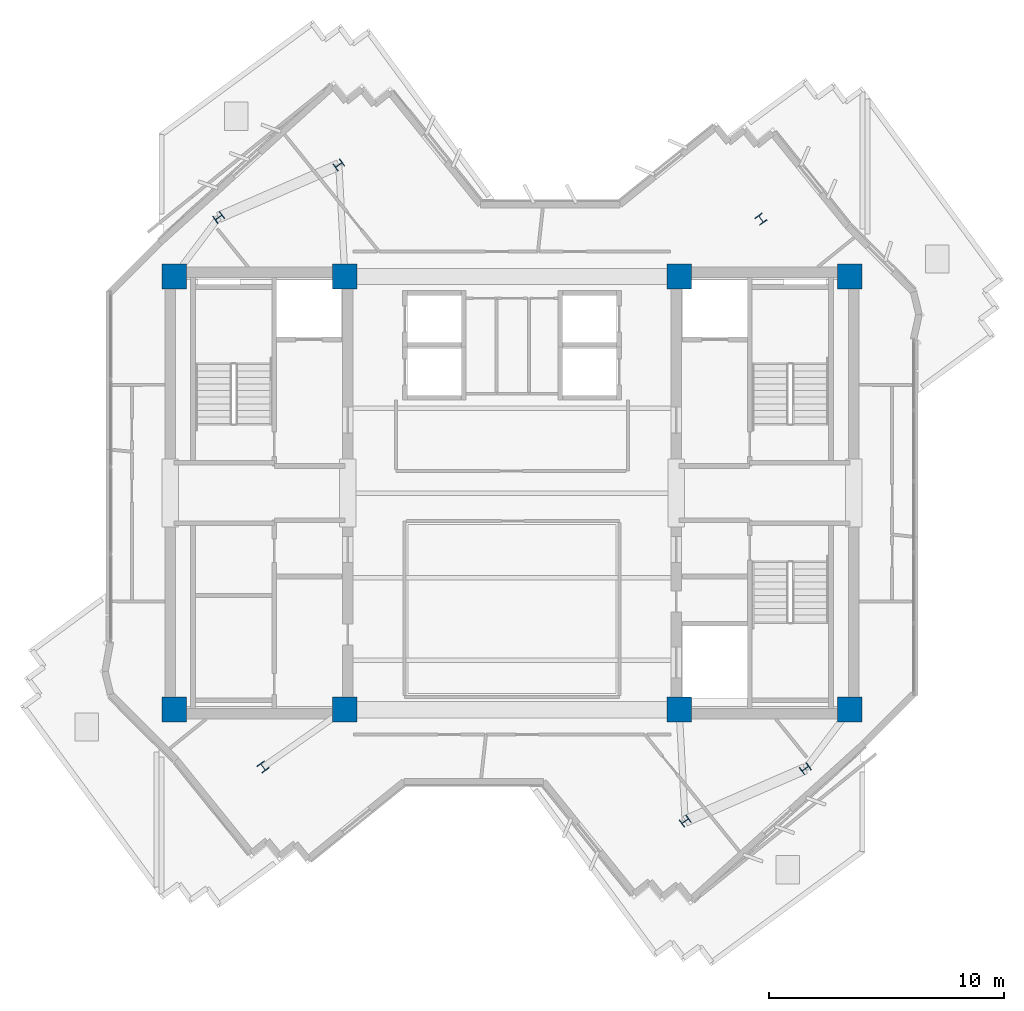
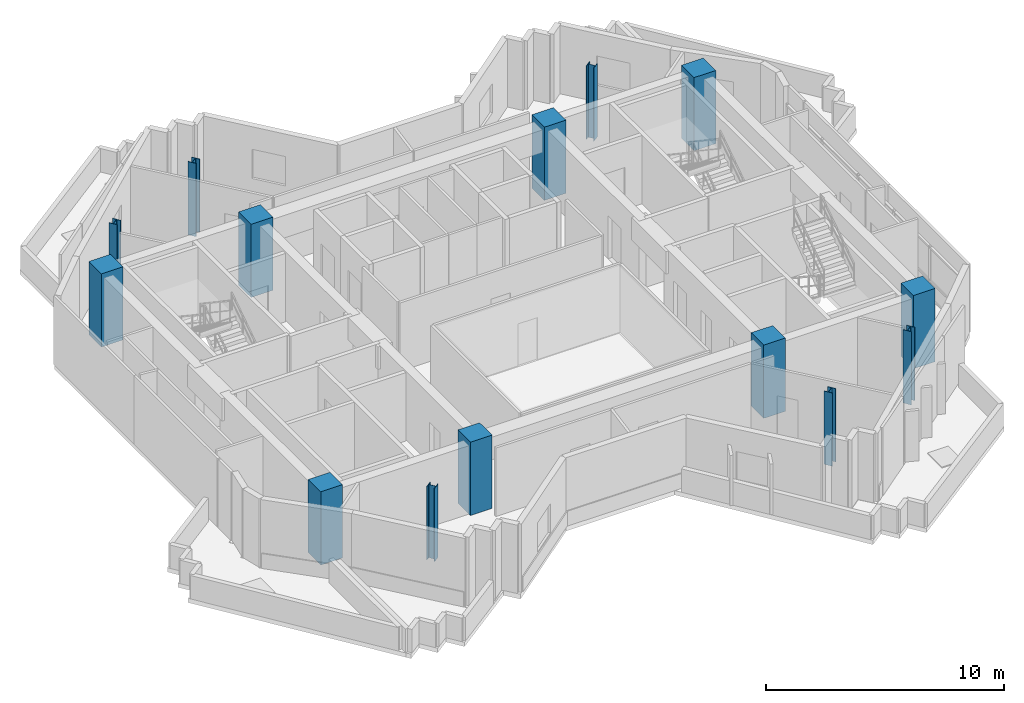
# One storey, part 1 of 12: 14 columns.
"""IFC4 building model written with IfcOpenShell, lengths in metres."""

from ifc_helpers import new_model, si_unit, direction, frame, origin, origin_2d, place, context, subcontext, project, spatial, rectangle, i_section, extrude, source, transform, mapped, material, material_profile, profile_set, type_object, element, save


model = new_model("IFC4")

# Units and contexts
model_context = context("Model", 3, precision=1e-05, world=origin(), true_north=direction((0.0, 1.0)))
body_context = subcontext(model_context, "Body", "Model", "MODEL_VIEW")
ifc_project = project(units=[si_unit("LENGTHUNIT", "METRE"), si_unit("AREAUNIT", "SQUARE_METRE"), si_unit("VOLUMEUNIT", "CUBIC_METRE"), si_unit("PLANEANGLEUNIT", "RADIAN"), si_unit("MASSUNIT", "GRAM", prefix="KILO")], contexts=[model_context])

# Site, building, storey
site_placement = place(None, origin())
site = spatial("IfcSite", under=ifc_project, at=site_placement, CompositionType="ELEMENT")
building_placement = place(site_placement, origin())
building = spatial("IfcBuilding", under=site, at=building_placement, Name="Zahravan Cultural Tower", CompositionType="ELEMENT")
storey_placement = place(building_placement, frame((0.0, 0.0, 280.35009765625)))
storey = spatial("IfcBuildingStorey", under=building, at=storey_placement, Name="L67", CompositionType="ELEMENT", Elevation=280.35009765625)

# Columns
ifc_material_1 = material(Name="Concrete C50/60", Category="concrete")
ifc_material_profile_1 = material_profile(ifc_material_1, rectangle(XDim=1.050048828125, YDim=1.050048828125, at=origin_2d()), Name="RC1050X1050")
ifc_profile_set_1 = profile_set([ifc_material_profile_1], Name="Concrete C50/60")
column_type_1 = type_object("IfcColumnType", Name="COL-RC1050", PredefinedType="COLUMN", material=ifc_profile_set_1)
shared_shape_1 = source(origin(), body_context, "Body", "SweptSolid", [
    extrude(rectangle(XDim=1.050048828125, YDim=1.050048828125, at=origin_2d()), origin(), (0.0, 0.0, 1.0), 3.75),
])
for number, where, z_axis, x_axis, name in (
    (1, (21.64990234375, 17.800048828125, 0.0), (0.0, 0.0, 1.0), (1.0, 0.0, 0.0), "L67 Column CC-W1"),
    (2, (28.89990234375, 17.800048828125, 0.0), (0.0, 0.0, 1.0), (1.0, 0.0, 0.0), "L67 Column CC-W2"),
    (3, (21.64990234375, 36.199951171875, 0.0), (0.0, 0.0, 1.0), (1.0, 0.0, 0.0), "L67 Column CC-W3"),
    (4, (28.89990234375, 36.199951171875, 0.0), (0.0, 0.0, 1.0), (1.0, 0.0, 0.0), "L67 Column CC-W4"),
    (5, (43.10009765625, 17.800048828125, 0.0), (0.0, 0.0, 1.0), (1.0, 0.0, 0.0), "L67 Column CC-E1"),
    (6, (50.35009765625, 17.800048828125, 0.0), (0.0, 0.0, 1.0), (1.0, 0.0, 0.0), "L67 Column CC-E2"),
    (7, (43.10009765625, 36.199951171875, 0.0), (0.0, 0.0, 1.0), (1.0, 0.0, 0.0), "L67 Column CC-E3"),
    (8, (50.35009765625, 36.199951171875, 0.0), (0.0, 0.0, 1.0), (1.0, 0.0, 0.0), "L67 Column CC-E4"),
):
    element("IfcColumn", number, at=place(storey_placement, frame(where, z_axis=z_axis, x_axis=x_axis)), inside=storey, type_object=column_type_1, Name=name, PredefinedType="COLUMN", context=body_context, shape_type="MappedRepresentation", body=[
        mapped(shared_shape_1, transform((0.0, 0.0, 0.0), x_axis=(1.0, 0.0, 0.0), y_axis=(0.0, 1.0, 0.0), z_axis=(0.0, 0.0, 1.0), scale=1.0)),
    ])
ifc_material_2 = material(Name="Steel ASTM A992 Grade 50", Category="steel")
ifc_material_profile_2 = material_profile(ifc_material_2, i_section(OverallWidth=0.3740234375, OverallDepth=0.3720703125, WebThickness=0.016357421875, FlangeThickness=0.026123046875, FilletRadius=0.01806640625, at=origin_2d()), Name="W14X132")
ifc_profile_set_2 = profile_set([ifc_material_profile_2], Name="Steel ASTM A992 Grade 50")
column_type_2 = type_object("IfcColumnType", Name="COL-W14X132", PredefinedType="COLUMN", material=ifc_profile_set_2)
shared_shape_2 = source(origin(), body_context, "Body", "SweptSolid", [
    extrude(i_section(OverallWidth=0.3740234375, OverallDepth=0.3720703125, WebThickness=0.016357421875, FlangeThickness=0.026123046875, FilletRadius=0.01806640625, at=origin_2d()), origin(), (0.0, 0.0, 1.0), 3.75),
])
for number, where, z_axis, x_axis, name in (
    (9, (46.577880859375, 38.640625, 0.0), (0.0, 0.0, 1.0), (0.809016994375, 0.587785252292, 0.0), "L67 Column Z3C-E2"),
    (10, (28.642578125, 40.937255859375, 0.0), (0.0, 0.0, 1.0), (-0.587785252292, 0.809016994375, 0.0), "L67 Column Z3C-N1"),
    (11, (23.536376953125, 38.710693359375, 0.0), (0.0, 0.0, 1.0), (-0.587785252292, 0.809016994375, 0.0), "L67 Column Z3C-N2"),
    (12, (25.422119140625, 15.359375, 0.0), (0.0, 0.0, 1.0), (0.809016994375, 0.587785252292, 0.0), "L67 Column Z3C-W2"),
    (13, (43.357421875, 13.062744140625, 0.0), (0.0, 0.0, 1.0), (-0.587785252292, 0.809016994375, 0.0), "L67 Column Z3C-S1"),
    (14, (48.463623046875, 15.289306640625, 0.0), (0.0, 0.0, 1.0), (-0.587785252292, 0.809016994375, 0.0), "L67 Column Z3C-S2"),
):
    element("IfcColumn", number, at=place(storey_placement, frame(where, z_axis=z_axis, x_axis=x_axis)), inside=storey, type_object=column_type_2, Name=name, PredefinedType="COLUMN", context=body_context, shape_type="MappedRepresentation", body=[
        mapped(shared_shape_2, transform((0.0, 0.0, 0.0), x_axis=(1.0, 0.0, 0.0), y_axis=(0.0, 1.0, 0.0), z_axis=(0.0, 0.0, 1.0), scale=1.0)),
    ])

save(model, "model.ifc")
